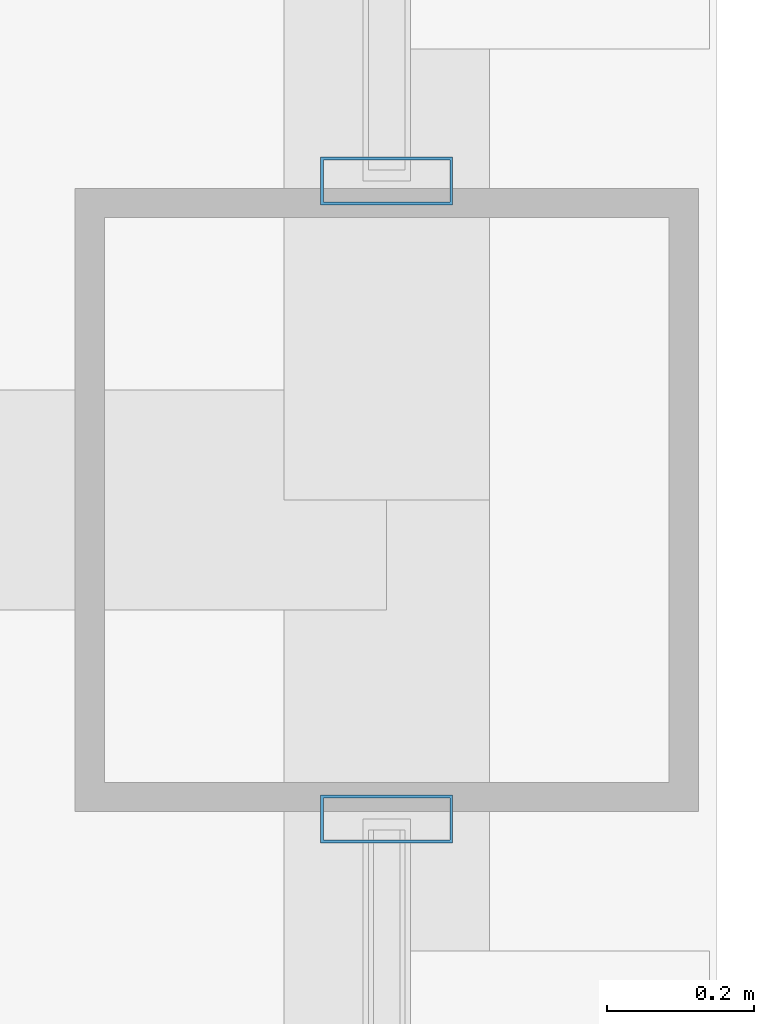
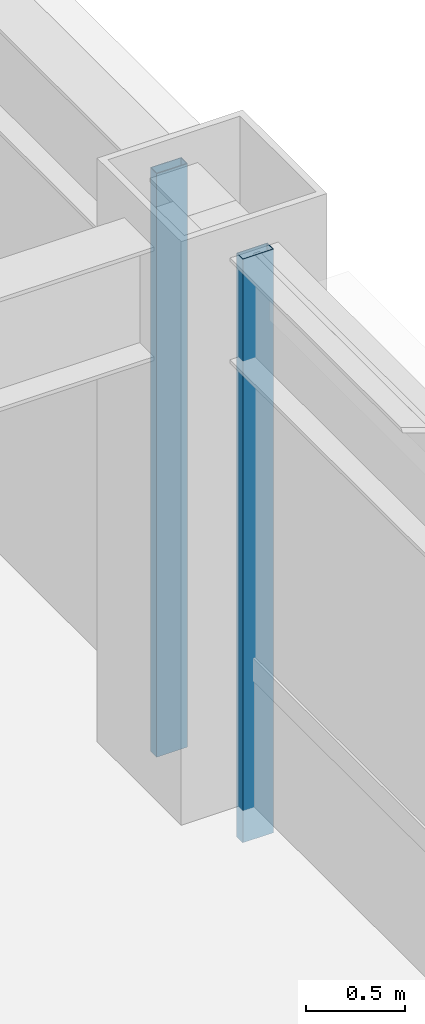
# One storey, part 17 of 31: 2 members, 2 elements without a shape of their own.
"""IFC4 building model written with IfcOpenShell, lengths in metres."""

import ifcopenshell
import ifcopenshell.guid

model = None  # the IFC model being written
_history = None  # IfcOwnerHistory: only IFC2X3 demands one
_inside = {}  # id of a spatial element -> (the spatial element, [elements in it])
_under = {}  # id of a project, library or spatial element -> (it, [spatial elements below it])
_declared = {}  # id of a project -> (the project, [libraries it declares])
_typed = {}  # id of a type object -> (the type object, [elements of that type])
_made_of = {}  # id of a material, layer set ... -> (it, [elements and type objects made of it])


def new_model(schema):
    """Start an empty IFC model of exactly this schema.

    Asked for "IFC4X3", IfcOpenShell would pick the latest addendum, in which some entities
    have other attributes; the version numbers below select the first issue.
    IFC2X3 requires an IfcOwnerHistory on every rooted entity: one is made here for all.
    """
    global model, _history
    if schema == "IFC4X3":
        model = ifcopenshell.file(schema_version=(4, 3, 0, 0))
    else:
        model = ifcopenshell.file(schema=schema)
    _inside.clear()
    _under.clear()
    _declared.clear()
    _typed.clear()
    _made_of.clear()
    _history = None
    if model.schema == "IFC2X3":
        org = make("IfcOrganization", Name="unknown")
        user = make(
            "IfcPersonAndOrganization",
            ThePerson=make("IfcPerson", FamilyName="unknown"),
            TheOrganization=org,
        )
        app = make(
            "IfcApplication",
            ApplicationDeveloper=org,
            Version="unknown",
            ApplicationFullName="unknown",
            ApplicationIdentifier="unknown",
        )
        _history = make(
            "IfcOwnerHistory",
            OwningUser=user,
            OwningApplication=app,
            ChangeAction="ADDED",
            CreationDate=0,
        )
    return model


def make(cls, **values):
    """One entity of the class cls with the attributes given. An attribute that is None is left unset."""
    return model.create_entity(
        cls, **{name: value for name, value in values.items() if value is not None}
    )


def rooted(cls, **values):
    """An entity with a GlobalId (a new one), such as an element, a storey or a relation."""
    return make(cls, GlobalId=ifcopenshell.guid.new(), OwnerHistory=_history, **values)


def si_unit(unit_type, name, prefix=None):
    """IfcSIUnit, for example si_unit("LENGTHUNIT", "METRE", prefix="MILLI")."""
    return make("IfcSIUnit", UnitType=unit_type, Prefix=prefix, Name=name)


def assignment(units):
    """IfcUnitAssignment: the units of a project."""
    return None if units is None else make("IfcUnitAssignment", Units=units)


def point(xyz):
    """IfcCartesianPoint."""
    return None if xyz is None else make("IfcCartesianPoint", Coordinates=xyz)


def direction(xyz):
    """IfcDirection."""
    return None if xyz is None else make("IfcDirection", DirectionRatios=xyz)


def frame(location, z_axis=None, x_axis=None):
    """IfcAxis2Placement3D, a coordinate frame: its origin and axes. An axis left out is left unset."""
    return make(
        "IfcAxis2Placement3D",
        Location=point(location),
        Axis=direction(z_axis),
        RefDirection=direction(x_axis),
    )


def frame_2d(location, x_axis=None):
    """IfcAxis2Placement2D, a coordinate frame in the plane: its origin and x axis."""
    return make(
        "IfcAxis2Placement2D", Location=point(location), RefDirection=direction(x_axis)
    )


def origin():
    """The frame at (0, 0, 0) with its axes left unset."""
    return frame((0.0, 0.0, 0.0))


def origin_2d():
    """The frame at (0, 0) in the plane with its x axis left unset."""
    return frame_2d((0.0, 0.0))


def place(relative_to, where):
    """IfcLocalPlacement: puts the frame where relative to a parent placement (None: the world)."""
    return make(
        "IfcLocalPlacement", PlacementRelTo=relative_to, RelativePlacement=where
    )


def context(
    kind, dimensions, precision=None, world=None, true_north=None, identifier=None
):
    """IfcGeometricRepresentationContext, for example the 3D "Model" context."""
    return make(
        "IfcGeometricRepresentationContext",
        ContextIdentifier=identifier,
        ContextType=kind,
        CoordinateSpaceDimension=dimensions,
        Precision=precision,
        WorldCoordinateSystem=world,
        TrueNorth=true_north,
    )


def subcontext(parent, identifier, kind, view, scale=None):
    """IfcGeometricRepresentationSubContext, for example "Body" below "Model"."""
    return make(
        "IfcGeometricRepresentationSubContext",
        ContextIdentifier=identifier,
        ContextType=kind,
        ParentContext=parent,
        TargetScale=scale,
        TargetView=view,
    )


def project(units=None, contexts=None):
    """IfcProject with its units and contexts."""
    return rooted(
        "IfcProject",
        Name="project",
        RepresentationContexts=contexts,
        UnitsInContext=assignment(units),
    )


def spatial(cls, under=None, at=None, **own):
    """A site, building, storey or space (cls), placed at a placement, below another one or the project."""
    s = rooted(cls, ObjectPlacement=at, **own)
    if under is not None:
        _under.setdefault(under.id(), (under, []))[1].append(s)
    return s


def profile(cls, at=None, kind="AREA", **sizes):
    """A parametric profile (cls). Its sizes go by their IFC names, for example OverallWidth=200.0."""
    return make(cls, ProfileType=kind, Position=at, **sizes)


def hollow_rectangle(**sizes):
    """IfcRectangleHollowProfileDef."""
    return profile("IfcRectangleHollowProfileDef", **sizes)


def extrude(swept, where, along, depth):
    """IfcExtrudedAreaSolid: the profile swept, set in the frame where, extruded along a direction by depth."""
    return make(
        "IfcExtrudedAreaSolid",
        SweptArea=swept,
        Position=where,
        ExtrudedDirection=direction(along),
        Depth=depth,
    )


def shape(context_of_items, identifier, shape_type, items):
    """IfcShapeRepresentation: the items that make up one representation, for example the "Body"."""
    return make(
        "IfcShapeRepresentation",
        ContextOfItems=context_of_items,
        RepresentationIdentifier=identifier,
        RepresentationType=shape_type,
        Items=items,
    )


def material(Name=None, Category=None):
    """IfcMaterial."""
    return make("IfcMaterial", Name=Name, Category=Category)


def layer(
    of_material, thickness, ventilated=None, Name=None, Category=None, Priority=None
):
    """IfcMaterialLayer: one layer of a wall or slab, of a material (None: an air gap)."""
    return make(
        "IfcMaterialLayer",
        Material=of_material,
        LayerThickness=thickness,
        IsVentilated=ventilated,
        Name=Name,
        Category=Category,
        Priority=Priority,
    )


def layer_set(layers, Name=None):
    """IfcMaterialLayerSet."""
    return make("IfcMaterialLayerSet", MaterialLayers=layers, LayerSetName=Name)


def material_profile(
    of_material, cross_section, Name=None, Category=None, Priority=None
):
    """IfcMaterialProfile: a cross section and its material."""
    return make(
        "IfcMaterialProfile",
        Name=Name,
        Material=of_material,
        Profile=cross_section,
        Priority=Priority,
        Category=Category,
    )


def profile_set(profiles, Name=None, composite=None):
    """IfcMaterialProfileSet."""
    return make(
        "IfcMaterialProfileSet",
        Name=Name,
        MaterialProfiles=profiles,
        CompositeProfile=composite,
    )


def made_of(thing, what):
    """Note that an element or type object is made of a material, layer set ...; save() writes the relation."""
    if what is not None:
        _made_of.setdefault(what.id(), (what, []))[1].append(thing)
    return thing


def type_object(cls, material=None, **own):
    """A type object (cls), such as IfcWallType, which elements share."""
    return made_of(rooted(cls, **own), material)


def element(
    cls,
    number,
    at=None,
    inside=None,
    cuts=None,
    type_object=None,
    material=None,
    context=None,
    identifier="Body",
    shape_type=None,
    held_by="IfcProductDefinitionShape",
    body=None,
    shapes=None,
    **own,
):
    """One element of the class cls, such as IfcWall. Its Tag is "e" and its number.

    at: its placement. inside: the storey or other place that contains it. cuts: it is an
    opening in that element (IfcRelVoidsElement). A single representation is given by context,
    identifier, shape_type and body (its items); several are given by shapes. held_by: the class
    of the entity that holds the representations. save() writes the other relations.
    """
    e = rooted(cls, Tag="e%d" % number, ObjectPlacement=at, **own)
    if body is not None:
        shapes = [shape(context, identifier, shape_type, body)]
    if shapes is not None:
        e.Representation = make(held_by, Representations=shapes)
    if inside is not None:
        _inside.setdefault(inside.id(), (inside, []))[1].append(e)
    if cuts is not None:
        rooted(
            "IfcRelVoidsElement", RelatingBuildingElement=cuts, RelatedOpeningElement=e
        )
    if type_object is not None:
        _typed.setdefault(type_object.id(), (type_object, []))[1].append(e)
    return made_of(e, material)


def aggregate(whole, parts):
    """IfcRelAggregates: a whole, such as a stair, and the parts it consists of."""
    return rooted("IfcRelAggregates", RelatingObject=whole, RelatedObjects=parts)


def save(model, path):
    """Write the relations noted so far, then the file.

    IfcRelAggregates (storeys below a building ...), IfcRelContainedInSpatialStructure (elements
    in a storey), IfcRelDefinesByType, IfcRelAssociatesMaterial and IfcRelDeclares: one each for
    every whole, place, type object, material and project.
    """
    for whole, parts in _under.values():
        aggregate(whole, parts)
    for where, things in _inside.values():
        rooted(
            "IfcRelContainedInSpatialStructure",
            RelatedElements=things,
            RelatingStructure=where,
        )
    for kind, things in _typed.values():
        rooted("IfcRelDefinesByType", RelatedObjects=things, RelatingType=kind)
    for what, things in _made_of.values():
        rooted("IfcRelAssociatesMaterial", RelatedObjects=things, RelatingMaterial=what)
    for by, libraries in _declared.values():
        rooted("IfcRelDeclares", RelatingContext=by, RelatedDefinitions=libraries)
    model.write(path)


model = new_model("IFC4")

# Units and contexts
model_context = context("Model", 3, precision=1e-05, world=origin(), true_north=direction((0.0, 1.0)))
body_context = subcontext(model_context, "Body", "Model", "MODEL_VIEW")
ifc_project = project(units=[si_unit("LENGTHUNIT", "METRE"), si_unit("AREAUNIT", "SQUARE_METRE"), si_unit("VOLUMEUNIT", "CUBIC_METRE"), si_unit("PLANEANGLEUNIT", "RADIAN"), si_unit("MASSUNIT", "GRAM", prefix="KILO")], contexts=[model_context])

# Site, building, storey
site_placement = place(None, origin())
site = spatial("IfcSite", under=ifc_project, at=site_placement, CompositionType="ELEMENT")
building_placement = place(site_placement, origin())
building = spatial("IfcBuilding", under=site, at=building_placement, Name="Brelmoor Portico Tower", CompositionType="ELEMENT")
storey_placement = place(building_placement, frame((0.0, 0.0, 113.39990234375)))
storey = spatial("IfcBuildingStorey", under=building, at=storey_placement, Name="L29", CompositionType="ELEMENT", Elevation=113.39990234375)

# Curtain wall, member
ifc_material = material(Name="Anodised Aluminium Alloy 6063-T6", Category="aluminium")
ifc_layer_1 = layer(ifc_material, 0.179931640625)
ifc_layer_set_1 = layer_set([ifc_layer_1], Name="Anodised Aluminium Alloy 6063-T6")
curtain_wall_type_1 = type_object("IfcCurtainWallType", Name="CW-TOWER-Z2", PredefinedType="NOTDEFINED", material=ifc_layer_set_1)
curtain_wall_1_placement = place(storey_placement, origin())
curtain_wall_1 = element("IfcCurtainWall", 1, at=curtain_wall_1_placement, inside=storey, type_object=curtain_wall_type_1, Name="L29 Curtain Wall CW-L29-4R-1", PredefinedType="NOTDEFINED")
ifc_material_profile = material_profile(ifc_material, hollow_rectangle(XDim=0.06494140625, YDim=0.179931640625, WallThickness=0.00390625, at=origin_2d()), Name="ALU MULLION 65x180")
ifc_profile_set = profile_set([ifc_material_profile], Name="Anodised Aluminium Alloy 6063-T6")
member_type = type_object("IfcMemberType", Name="MB-CW-MULL-180", PredefinedType="MULLION", material=ifc_profile_set)
member_1_placement = place(storey_placement, frame((22.550048828125, 9.31494140625, -0.199951171875), z_axis=(0.0, 0.0, 1.0), x_axis=(0.0, 1.0, 0.0)))
member_1 = element("IfcMember", 2, at=member_1_placement, type_object=member_type, Name="CW-L29-4R-1 Mullion 01", PredefinedType="MULLION", context=body_context, shape_type="SweptSolid", body=[
    extrude(hollow_rectangle(XDim=0.06494140625, YDim=0.179931640625, WallThickness=0.00390625, at=origin_2d()), origin(), (0.0, 0.0, 1.0), 3.60009765625),
])
aggregate(curtain_wall_1, [member_1])

ifc_layer_2 = layer(ifc_material, 0.179931640625)
ifc_layer_set_2 = layer_set([ifc_layer_2], Name="Anodised Aluminium Alloy 6063-T6")
curtain_wall_type_2 = type_object("IfcCurtainWallType", Name="CW-TOWER-Z2-XB", PredefinedType="NOTDEFINED", material=ifc_layer_set_2)
curtain_wall_2_placement = place(storey_placement, origin())
curtain_wall_2 = element("IfcCurtainWall", 3, at=curtain_wall_2_placement, inside=storey, type_object=curtain_wall_type_2, Name="L29 Curtain Wall CW-L29-4R-2", PredefinedType="NOTDEFINED")
member_2_placement = place(storey_placement, frame((22.550048828125, 10.18505859375, -0.199951171875), z_axis=(0.0, 0.0, 1.0), x_axis=(0.0, 1.0, 0.0)))
member_2 = element("IfcMember", 4, at=member_2_placement, type_object=member_type, Name="CW-L29-4R-2 Mullion 00", PredefinedType="MULLION", context=body_context, shape_type="SweptSolid", body=[
    extrude(hollow_rectangle(XDim=0.06494140625, YDim=0.179931640625, WallThickness=0.00390625, at=origin_2d()), origin(), (0.0, 0.0, 1.0), 3.60009765625),
])
aggregate(curtain_wall_2, [member_2])

save(model, "model.ifc")
